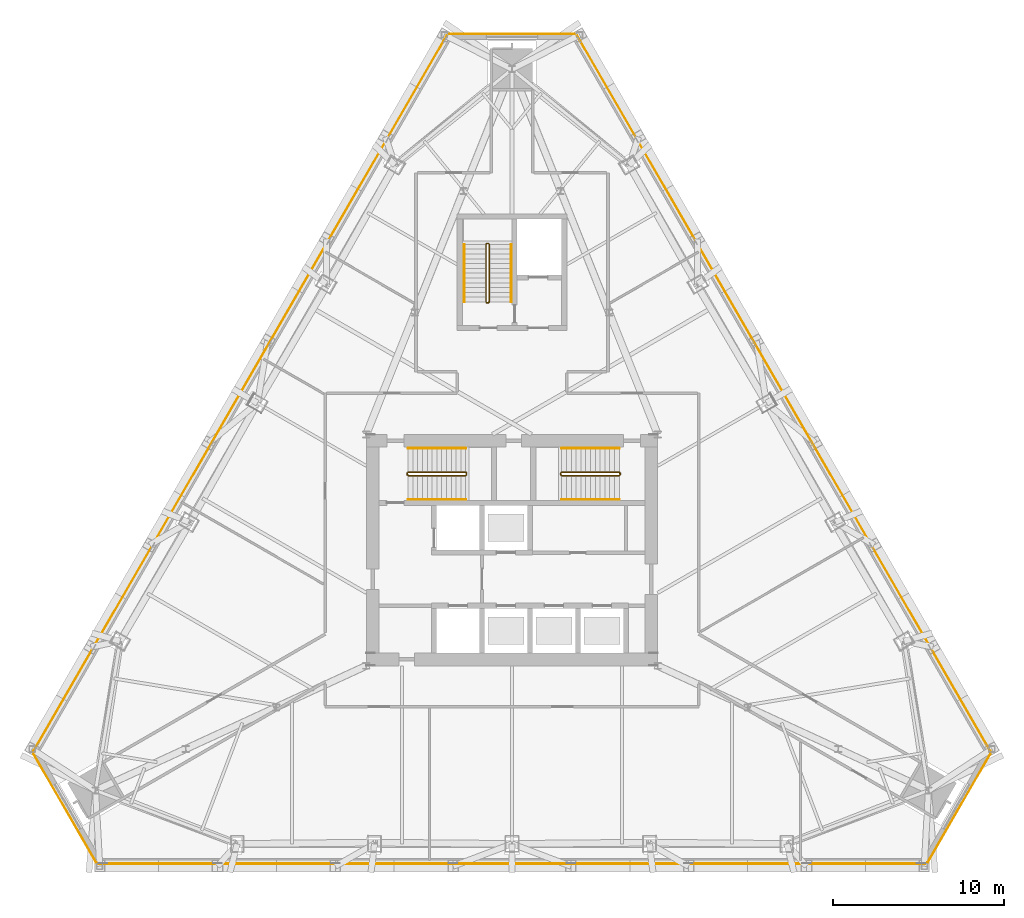
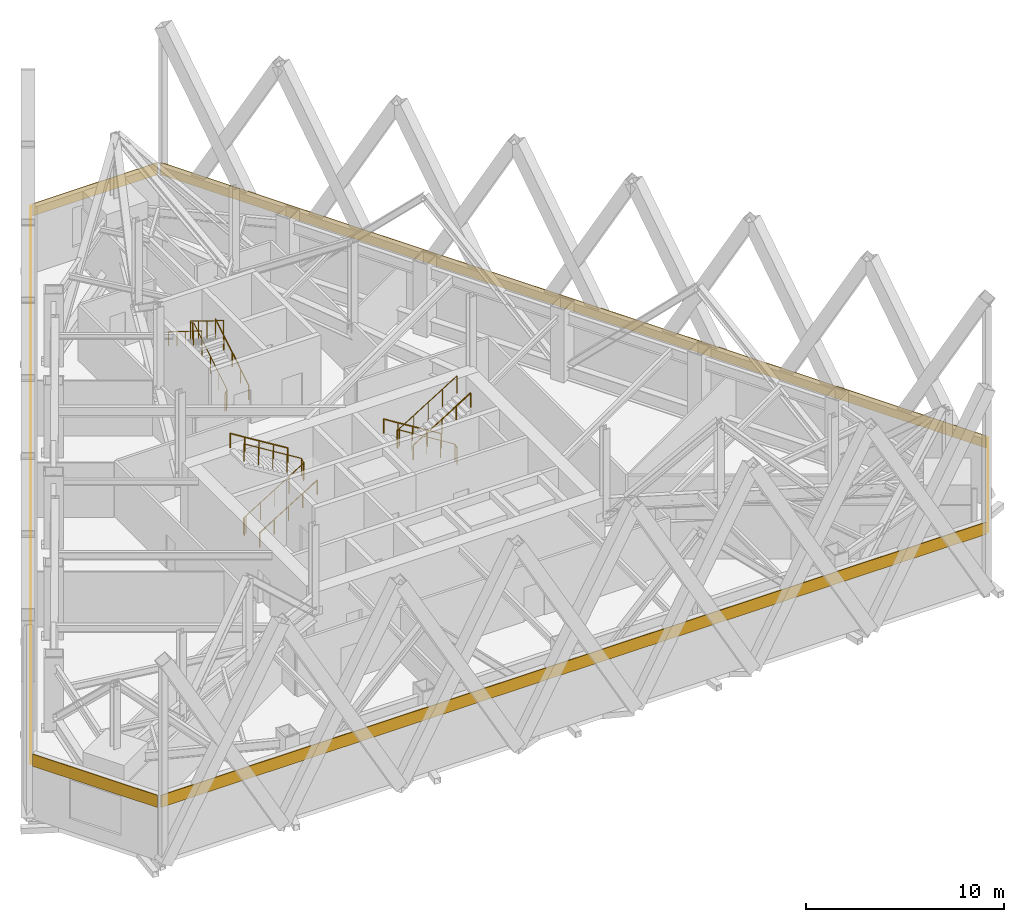
# One storey, part 15 of 16: 9 railings, 6 coverings.
"""IFC4 building model written with IfcOpenShell, lengths in metres."""

from ifc_helpers import new_model, si_unit, direction, frame, origin, origin_2d, place, context, subcontext, project, spatial, polyline, circle, outline, extrude, material, layer, layer_set, type_object, element, save


model = new_model("IFC4")

# Units and contexts
model_context = context("Model", 3, precision=1e-05, world=origin(), true_north=direction((0.0, 1.0)))
body_context = subcontext(model_context, "Body", "Model", "MODEL_VIEW")
ifc_project = project(units=[si_unit("LENGTHUNIT", "METRE"), si_unit("AREAUNIT", "SQUARE_METRE"), si_unit("VOLUMEUNIT", "CUBIC_METRE"), si_unit("PLANEANGLEUNIT", "RADIAN"), si_unit("MASSUNIT", "GRAM", prefix="KILO")], contexts=[model_context])

# Site, building, storey
site_placement = place(None, origin())
site = spatial("IfcSite", under=ifc_project, at=site_placement, CompositionType="ELEMENT")
building_placement = place(site_placement, origin())
building = spatial("IfcBuilding", under=site, at=building_placement, Name="Firuza Gate Tower and Library", CompositionType="ELEMENT")
storey_placement = place(building_placement, frame((0.0, 0.0, 247.60009765625)))
storey = spatial("IfcBuildingStorey", under=building, at=storey_placement, Name="L58", CompositionType="ELEMENT", Elevation=247.60009765625)

# Coverings
ifc_material_1 = material(Name="Glazed ceramic tile, cobalt")
ifc_layer_1 = layer(ifc_material_1, 0.0400390625)
ifc_layer_set_1 = layer_set([ifc_layer_1], Name="Cobalt glazed tile band 40")
covering_type_1 = type_object("IfcCoveringType", Name="Cobalt glazed tile band 40", PredefinedType="CLADDING", material=ifc_layer_set_1)
covering_1_placement = place(storey_placement, frame((99.2666015625, 56.772705078125, 3.2998046875), z_axis=(0.866033626628, -0.499985757347, 0.0), x_axis=(0.499985757347, 0.866033626628, 0.0)))
element("IfcCovering", 1, at=covering_1_placement, inside=storey, type_object=covering_type_1, Name="Glazed tile band", PredefinedType="CLADDING", context=body_context, shape_type="SweptSolid", body=[
    extrude(outline(polyline([(0.0, 0.0), (7.303918991869336, 0.0), (7.303918991869336, 0.75), (0.0, 0.75), (0.0, 0.0)])), origin(), (0.0, 0.0, -1.0), 0.0400390625),
])
covering_2_placement = place(storey_placement, frame((78.65185546875, 105.12890625, 3.2998046875), z_axis=(0.0, 1.0, 0.0), x_axis=(-1.0, 0.0, 0.0)))
element("IfcCovering", 2, at=covering_2_placement, inside=storey, type_object=covering_type_1, Name="Glazed tile band", PredefinedType="CLADDING", context=body_context, shape_type="SweptSolid", body=[
    extrude(outline(polyline([(0.0, 0.0), (7.3037109375, 0.0), (7.3037109375, 0.75), (0.0, 0.75), (0.0, 0.0)])), origin(), (0.0, 0.0, -1.0), 0.0400390625),
])
covering_3_placement = place(storey_placement, frame((47.08154296875, 63.09814453125, 3.2998046875), z_axis=(-0.866033626628, -0.499985757347, 0.0), x_axis=(0.499985757347, -0.866033626628, 0.0)))
element("IfcCovering", 3, at=covering_3_placement, inside=storey, type_object=covering_type_1, Name="Glazed tile band", PredefinedType="CLADDING", context=body_context, shape_type="SweptSolid", body=[
    extrude(outline(polyline([(0.0, 0.0), (7.303918991869336, 0.0), (7.303918991869336, 0.75), (0.0, 0.75), (0.0, 0.0)])), origin(), (0.0, 0.0, -1.0), 0.0400390625),
])

# Railings
ifc_material_2 = material(Name="Steel S355", Category="steel")
railing_type_1 = type_object("IfcRailingType", Name="Stair guard 1100", PredefinedType="GUARDRAIL", material=ifc_material_2)
railing_1_placement = place(storey_placement, frame((68.889892578125, 79.389892578125, 0.0)))
element("IfcRailing", 4, at=railing_1_placement, inside=storey, type_object=railing_type_1, Name="L58 ST1 stair guard 1", PredefinedType="GUARDRAIL", context=body_context, shape_type="SweptSolid", body=[
    extrude(circle(Radius=0.02392578125, at=origin_2d()), frame((0.0, 0.0, 1.076171875), z_axis=(0.0, 1.0, 0.0), x_axis=(-1.0, 0.0, 0.0)), (0.0, 0.0, 1.0), 0.10009765625),
    extrude(circle(Radius=0.02392578125, at=origin_2d()), frame((0.0, 0.10009765625, 1.076171875), z_axis=(0.213529850563, -0.639547942662, 0.73850080024), x_axis=(0.948528701346, 0.316691178788, 0.0)), (0.0, 0.0, 1.0), 0.234375),
    extrude(circle(Radius=0.02392578125, at=origin_2d()), frame((0.050048828125, -0.0498046875, 1.2490234375), z_axis=(0.850623216509, 0.0, 0.525775754039), x_axis=(0.0, 1.0, 0.0)), (0.0, 0.0, 1.0), 3.9501953125),
    extrude(circle(Radius=0.02392578125, at=origin_2d()), frame((3.41015625, -0.0498046875, 3.326171875), z_axis=(0.708833529934, 0.705375805398, 0.0), x_axis=(-0.705375805398, 0.708833529934, 0.0)), (0.0, 0.0, 1.0), 0.070556640625),
    extrude(circle(Radius=0.02392578125, at=origin_2d()), frame((3.460205078125, 0.0, 3.326171875), z_axis=(0.0, 1.0, 0.0), x_axis=(-1.0, 0.0, 0.0)), (0.0, 0.0, 1.0), 0.10009765625),
    extrude(circle(Radius=0.02392578125, at=origin_2d()), frame((3.460205078125, 0.10009765625, 3.326171875), z_axis=(-0.267629722418, 0.267629722418, 0.925607186314), x_axis=(-0.707106781187, -0.707106781187, 0.0)), (0.0, 0.0, 1.0), 0.18701171875),
    extrude(circle(Radius=0.02392578125, at=origin_2d()), frame((3.41015625, 0.150146484375, 3.4990234375), z_axis=(-0.850623216509, 0.0, 0.525775754039), x_axis=(0.0, -1.0, 0.0)), (0.0, 0.0, 1.0), 3.9501953125),
    extrude(circle(Radius=0.02099609375, at=origin_2d()), origin(), (0.0, 0.0, 1.0), 1.052001953125),
    extrude(circle(Radius=0.02099609375, at=origin_2d()), frame((0.0, 0.10009765625, 0.0)), (0.0, 0.0, 1.0), 1.052001953125),
    extrude(circle(Radius=0.02099609375, at=origin_2d()), frame((0.050048828125, -0.0498046875, 0.173095703125)), (0.0, 0.0, 1.0), 1.052001953125),
    extrude(circle(Radius=0.02099609375, at=origin_2d()), frame((0.89013671875, -0.0498046875, 0.6923828125)), (0.0, 0.0, 1.0), 1.052001953125),
    extrude(circle(Radius=0.02099609375, at=origin_2d()), frame((1.72998046875, -0.0498046875, 1.21142578125)), (0.0, 0.0, 1.0), 1.052001953125),
    extrude(circle(Radius=0.02099609375, at=origin_2d()), frame((2.570068359375, -0.0498046875, 1.730712890625)), (0.0, 0.0, 1.0), 1.052001953125),
    extrude(circle(Radius=0.02099609375, at=origin_2d()), frame((3.41015625, -0.0498046875, 2.25)), (0.0, 0.0, 1.0), 1.052001953125),
    extrude(circle(Radius=0.02099609375, at=origin_2d()), frame((3.460205078125, 0.0, 2.25)), (0.0, 0.0, 1.0), 1.052001953125),
    extrude(circle(Radius=0.02099609375, at=origin_2d()), frame((3.460205078125, 0.10009765625, 2.25)), (0.0, 0.0, 1.0), 1.052001953125),
    extrude(circle(Radius=0.02099609375, at=origin_2d()), frame((3.41015625, 0.150146484375, 2.423095703125)), (0.0, 0.0, 1.0), 1.052001953125),
    extrude(circle(Radius=0.02099609375, at=origin_2d()), frame((2.570068359375, 0.150146484375, 2.9423828125)), (0.0, 0.0, 1.0), 1.052001953125),
    extrude(circle(Radius=0.02099609375, at=origin_2d()), frame((1.72998046875, 0.150146484375, 3.46142578125)), (0.0, 0.0, 1.0), 1.052001953125),
    extrude(circle(Radius=0.02099609375, at=origin_2d()), frame((0.89013671875, 0.150146484375, 3.980712890625)), (0.0, 0.0, 1.0), 1.052001953125),
    extrude(circle(Radius=0.02099609375, at=origin_2d()), frame((0.050048828125, 0.150146484375, 4.5)), (0.0, 0.0, 1.0), 1.052001953125),
])
railing_2_placement = place(storey_placement, frame((81.31005859375, 79.489990234375, 0.0)))
element("IfcRailing", 5, at=railing_2_placement, inside=storey, type_object=railing_type_1, Name="L58 ST2 stair guard 1", PredefinedType="GUARDRAIL", context=body_context, shape_type="SweptSolid", body=[
    extrude(circle(Radius=0.02392578125, at=origin_2d()), frame((0.0, 0.0, 1.076171875), z_axis=(0.0, -1.0, 0.0), x_axis=(1.0, 0.0, 0.0)), (0.0, 0.0, 1.0), 0.10009765625),
    extrude(circle(Radius=0.02392578125, at=origin_2d()), frame((0.0, -0.10009765625, 1.076171875), z_axis=(-0.213387632126, 0.640162896378, 0.738008932572), x_axis=(-0.948683298051, -0.316227766017, 0.0)), (0.0, 0.0, 1.0), 0.234619140625),
    extrude(circle(Radius=0.02392578125, at=origin_2d()), frame((-0.050048828125, 0.050048828125, 1.2490234375), z_axis=(-0.850623216509, 0.0, 0.525775754039), x_axis=(0.0, -1.0, 0.0)), (0.0, 0.0, 1.0), 3.9501953125),
    extrude(circle(Radius=0.02392578125, at=origin_2d()), frame((-3.41015625, 0.050048828125, 3.326171875), z_axis=(-0.705375805398, -0.708833529934, 0.0), x_axis=(0.708833529934, -0.705375805398, 0.0)), (0.0, 0.0, 1.0), 0.070556640625),
    extrude(circle(Radius=0.02392578125, at=origin_2d()), frame((-3.4599609375, 0.0, 3.326171875), z_axis=(0.0, -1.0, 0.0), x_axis=(1.0, 0.0, 0.0)), (0.0, 0.0, 1.0), 0.10009765625),
    extrude(circle(Radius=0.02392578125, at=origin_2d()), frame((-3.4599609375, -0.10009765625, 3.326171875), z_axis=(0.26651005591, -0.26651005591, 0.926253086471), x_axis=(0.707106781187, 0.707106781187, 0.0)), (0.0, 0.0, 1.0), 0.186767578125),
    extrude(circle(Radius=0.02392578125, at=origin_2d()), frame((-3.41015625, -0.14990234375, 3.4990234375), z_axis=(0.850623216509, 0.0, 0.525775754039), x_axis=(0.0, 1.0, 0.0)), (0.0, 0.0, 1.0), 3.9501953125),
    extrude(circle(Radius=0.02099609375, at=origin_2d()), origin(), (0.0, 0.0, 1.0), 1.052001953125),
    extrude(circle(Radius=0.02099609375, at=origin_2d()), frame((0.0, -0.10009765625, 0.0)), (0.0, 0.0, 1.0), 1.052001953125),
    extrude(circle(Radius=0.02099609375, at=origin_2d()), frame((-0.050048828125, 0.050048828125, 0.173095703125)), (0.0, 0.0, 1.0), 1.052001953125),
    extrude(circle(Radius=0.02099609375, at=origin_2d()), frame((-0.89013671875, 0.050048828125, 0.6923828125)), (0.0, 0.0, 1.0), 1.052001953125),
    extrude(circle(Radius=0.02099609375, at=origin_2d()), frame((-1.72998046875, 0.050048828125, 1.21142578125)), (0.0, 0.0, 1.0), 1.052001953125),
    extrude(circle(Radius=0.02099609375, at=origin_2d()), frame((-2.570068359375, 0.050048828125, 1.730712890625)), (0.0, 0.0, 1.0), 1.052001953125),
    extrude(circle(Radius=0.02099609375, at=origin_2d()), frame((-3.41015625, 0.050048828125, 2.25)), (0.0, 0.0, 1.0), 1.052001953125),
    extrude(circle(Radius=0.02099609375, at=origin_2d()), frame((-3.4599609375, 0.0, 2.25)), (0.0, 0.0, 1.0), 1.052001953125),
    extrude(circle(Radius=0.02099609375, at=origin_2d()), frame((-3.4599609375, -0.10009765625, 2.25)), (0.0, 0.0, 1.0), 1.052001953125),
    extrude(circle(Radius=0.02099609375, at=origin_2d()), frame((-3.41015625, -0.14990234375, 2.423095703125)), (0.0, 0.0, 1.0), 1.052001953125),
    extrude(circle(Radius=0.02099609375, at=origin_2d()), frame((-2.570068359375, -0.14990234375, 2.9423828125)), (0.0, 0.0, 1.0), 1.052001953125),
    extrude(circle(Radius=0.02099609375, at=origin_2d()), frame((-1.72998046875, -0.14990234375, 3.46142578125)), (0.0, 0.0, 1.0), 1.052001953125),
    extrude(circle(Radius=0.02099609375, at=origin_2d()), frame((-0.89013671875, -0.14990234375, 3.980712890625)), (0.0, 0.0, 1.0), 1.052001953125),
    extrude(circle(Radius=0.02099609375, at=origin_2d()), frame((-0.050048828125, -0.14990234375, 4.5)), (0.0, 0.0, 1.0), 1.052001953125),
])
railing_3_placement = place(storey_placement, frame((73.6298828125, 89.419921875, 0.0)))
element("IfcRailing", 6, at=railing_3_placement, inside=storey, type_object=railing_type_1, Name="L58 ST3 stair guard 1", PredefinedType="GUARDRAIL", context=body_context, shape_type="SweptSolid", body=[
    extrude(circle(Radius=0.02392578125, at=origin_2d()), frame((0.0, 0.0, 1.076171875), z_axis=(-1.0, 0.0, 0.0), x_axis=(0.0, -1.0, 0.0)), (0.0, 0.0, 1.0), 0.099853515625),
    extrude(circle(Radius=0.02392578125, at=origin_2d()), frame((-0.099853515625, 0.0, 1.076171875), z_axis=(0.639547942662, 0.213529850563, 0.73850080024), x_axis=(-0.316691178788, 0.948528701346, 0.0)), (0.0, 0.0, 1.0), 0.234375),
    extrude(circle(Radius=0.02392578125, at=origin_2d()), frame((0.050048828125, 0.050048828125, 1.2490234375), z_axis=(0.0, 0.850623216509, 0.525775754039), x_axis=(-1.0, 0.0, 0.0)), (0.0, 0.0, 1.0), 3.9501953125),
    extrude(circle(Radius=0.02392578125, at=origin_2d()), frame((0.050048828125, 3.41015625, 3.326171875), z_axis=(-0.708833529934, 0.705375805398, 0.0), x_axis=(-0.705375805398, -0.708833529934, 0.0)), (0.0, 0.0, 1.0), 0.070556640625),
    extrude(circle(Radius=0.02392578125, at=origin_2d()), frame((0.0, 3.4599609375, 3.326171875), z_axis=(-1.0, 0.0, 0.0), x_axis=(0.0, -1.0, 0.0)), (0.0, 0.0, 1.0), 0.099853515625),
    extrude(circle(Radius=0.02392578125, at=origin_2d()), frame((-0.099853515625, 3.4599609375, 3.326171875), z_axis=(-0.267723051232, -0.266417085129, 0.925929967433), x_axis=(0.705375805398, -0.708833529934, 0.0)), (0.0, 0.0, 1.0), 0.18701171875),
    extrude(circle(Radius=0.02392578125, at=origin_2d()), frame((-0.14990234375, 3.41015625, 3.4990234375), z_axis=(0.0, -0.850623216509, 0.525775754039), x_axis=(1.0, 0.0, 0.0)), (0.0, 0.0, 1.0), 3.9501953125),
    extrude(circle(Radius=0.02099609375, at=origin_2d()), origin(), (0.0, 0.0, 1.0), 1.052001953125),
    extrude(circle(Radius=0.02099609375, at=origin_2d()), frame((-0.099853515625, 0.0, 0.0)), (0.0, 0.0, 1.0), 1.052001953125),
    extrude(circle(Radius=0.02099609375, at=origin_2d()), frame((0.050048828125, 0.050048828125, 0.173095703125)), (0.0, 0.0, 1.0), 1.052001953125),
    extrude(circle(Radius=0.02099609375, at=origin_2d()), frame((0.050048828125, 0.89013671875, 0.6923828125)), (0.0, 0.0, 1.0), 1.052001953125),
    extrude(circle(Radius=0.02099609375, at=origin_2d()), frame((0.050048828125, 1.72998046875, 1.21142578125)), (0.0, 0.0, 1.0), 1.052001953125),
    extrude(circle(Radius=0.02099609375, at=origin_2d()), frame((0.050048828125, 2.570068359375, 1.730712890625)), (0.0, 0.0, 1.0), 1.052001953125),
    extrude(circle(Radius=0.02099609375, at=origin_2d()), frame((0.050048828125, 3.41015625, 2.25)), (0.0, 0.0, 1.0), 1.052001953125),
    extrude(circle(Radius=0.02099609375, at=origin_2d()), frame((0.0, 3.4599609375, 2.25)), (0.0, 0.0, 1.0), 1.052001953125),
    extrude(circle(Radius=0.02099609375, at=origin_2d()), frame((-0.099853515625, 3.4599609375, 2.25)), (0.0, 0.0, 1.0), 1.052001953125),
    extrude(circle(Radius=0.02099609375, at=origin_2d()), frame((-0.14990234375, 3.41015625, 2.423095703125)), (0.0, 0.0, 1.0), 1.052001953125),
    extrude(circle(Radius=0.02099609375, at=origin_2d()), frame((-0.14990234375, 2.570068359375, 2.9423828125)), (0.0, 0.0, 1.0), 1.052001953125),
    extrude(circle(Radius=0.02099609375, at=origin_2d()), frame((-0.14990234375, 1.72998046875, 3.46142578125)), (0.0, 0.0, 1.0), 1.052001953125),
    extrude(circle(Radius=0.02099609375, at=origin_2d()), frame((-0.14990234375, 0.89013671875, 3.980712890625)), (0.0, 0.0, 1.0), 1.052001953125),
    extrude(circle(Radius=0.02099609375, at=origin_2d()), frame((-0.14990234375, 0.050048828125, 4.5)), (0.0, 0.0, 1.0), 1.052001953125),
])
ifc_material_3 = material(Name="Steel S355", Category="steel")
railing_type_2 = type_object("IfcRailingType", Name="Stair handrail 900", PredefinedType="HANDRAIL", material=ifc_material_3)
railing_4_placement = place(storey_placement, frame((68.93994140625, 77.949951171875, 0.173095703125)))
element("IfcRailing", 7, at=railing_4_placement, inside=storey, type_object=railing_type_2, Name="L58 ST1 stair handrail 1", PredefinedType="HANDRAIL", context=body_context, shape_type="SweptSolid", body=[
    extrude(circle(Radius=0.02392578125, at=origin_2d()), frame((0.0, 0.0, 0.8759765625), z_axis=(0.850623216509, 0.0, 0.525775754039), x_axis=(0.0, 1.0, 0.0)), (0.0, 0.0, 1.0), 3.9501953125),
    extrude(circle(Radius=0.02099609375, at=origin_2d()), origin(), (0.0, 0.0, 1.0), 0.851806640625),
    extrude(circle(Radius=0.02099609375, at=origin_2d()), frame((0.840087890625, 0.0, 0.519287109375)), (0.0, 0.0, 1.0), 0.851806640625),
    extrude(circle(Radius=0.02099609375, at=origin_2d()), frame((1.68017578125, 0.0, 1.03857421875)), (0.0, 0.0, 1.0), 0.851806640625),
    extrude(circle(Radius=0.02099609375, at=origin_2d()), frame((2.52001953125, 0.0, 1.5576171875)), (0.0, 0.0, 1.0), 0.851806640625),
    extrude(circle(Radius=0.02099609375, at=origin_2d()), frame((3.360107421875, 0.0, 2.076904296875)), (0.0, 0.0, 1.0), 0.851806640625),
])
for number, where, name in (
    (8, (72.300048828125, 80.929931640625, 2.423095703125), "L58 ST1 stair handrail 2"),
    (9, (81.260009765625, 80.929931640625, 0.173095703125), "L58 ST2 stair handrail 1"),
):
    element("IfcRailing", number, at=place(storey_placement, frame(where)), inside=storey, type_object=railing_type_2, Name=name, PredefinedType="HANDRAIL", context=body_context, shape_type="SweptSolid", body=[
        extrude(circle(Radius=0.02392578125, at=origin_2d()), frame((0.0, 0.0, 0.8759765625), z_axis=(-0.850623216509, 0.0, 0.525775754039), x_axis=(0.0, -1.0, 0.0)), (0.0, 0.0, 1.0), 3.9501953125),
        extrude(circle(Radius=0.02099609375, at=origin_2d()), origin(), (0.0, 0.0, 1.0), 0.851806640625),
        extrude(circle(Radius=0.02099609375, at=origin_2d()), frame((-0.840087890625, 0.0, 0.519287109375)), (0.0, 0.0, 1.0), 0.851806640625),
        extrude(circle(Radius=0.02099609375, at=origin_2d()), frame((-1.68017578125, 0.0, 1.03857421875)), (0.0, 0.0, 1.0), 0.851806640625),
        extrude(circle(Radius=0.02099609375, at=origin_2d()), frame((-2.52001953125, 0.0, 1.5576171875)), (0.0, 0.0, 1.0), 0.851806640625),
        extrude(circle(Radius=0.02099609375, at=origin_2d()), frame((-3.360107421875, 0.0, 2.076904296875)), (0.0, 0.0, 1.0), 0.851806640625),
    ])
railing_5_placement = place(storey_placement, frame((77.89990234375, 77.949951171875, 2.423095703125)))
element("IfcRailing", 10, at=railing_5_placement, inside=storey, type_object=railing_type_2, Name="L58 ST2 stair handrail 2", PredefinedType="HANDRAIL", context=body_context, shape_type="SweptSolid", body=[
    extrude(circle(Radius=0.02392578125, at=origin_2d()), frame((0.0, 0.0, 0.8759765625), z_axis=(0.850623216509, 0.0, 0.525775754039), x_axis=(0.0, 1.0, 0.0)), (0.0, 0.0, 1.0), 3.9501953125),
    extrude(circle(Radius=0.02099609375, at=origin_2d()), origin(), (0.0, 0.0, 1.0), 0.851806640625),
    extrude(circle(Radius=0.02099609375, at=origin_2d()), frame((0.840087890625, 0.0, 0.519287109375)), (0.0, 0.0, 1.0), 0.851806640625),
    extrude(circle(Radius=0.02099609375, at=origin_2d()), frame((1.68017578125, 0.0, 1.03857421875)), (0.0, 0.0, 1.0), 0.851806640625),
    extrude(circle(Radius=0.02099609375, at=origin_2d()), frame((2.52001953125, 0.0, 1.5576171875)), (0.0, 0.0, 1.0), 0.851806640625),
    extrude(circle(Radius=0.02099609375, at=origin_2d()), frame((3.360107421875, 0.0, 2.076904296875)), (0.0, 0.0, 1.0), 0.851806640625),
])
railing_6_placement = place(storey_placement, frame((74.949951171875, 89.469970703125, 0.173095703125)))
element("IfcRailing", 11, at=railing_6_placement, inside=storey, type_object=railing_type_2, Name="L58 ST3 stair handrail 1", PredefinedType="HANDRAIL", context=body_context, shape_type="SweptSolid", body=[
    extrude(circle(Radius=0.02392578125, at=origin_2d()), frame((0.0, 0.0, 0.8759765625), z_axis=(0.0, 0.850623216509, 0.525775754039), x_axis=(-1.0, 0.0, 0.0)), (0.0, 0.0, 1.0), 3.9501953125),
    extrude(circle(Radius=0.02099609375, at=origin_2d()), origin(), (0.0, 0.0, 1.0), 0.851806640625),
    extrude(circle(Radius=0.02099609375, at=origin_2d()), frame((0.0, 0.840087890625, 0.519287109375)), (0.0, 0.0, 1.0), 0.851806640625),
    extrude(circle(Radius=0.02099609375, at=origin_2d()), frame((0.0, 1.68017578125, 1.03857421875)), (0.0, 0.0, 1.0), 0.851806640625),
    extrude(circle(Radius=0.02099609375, at=origin_2d()), frame((0.0, 2.52001953125, 1.5576171875)), (0.0, 0.0, 1.0), 0.851806640625),
    extrude(circle(Radius=0.02099609375, at=origin_2d()), frame((0.0, 3.360107421875, 2.076904296875)), (0.0, 0.0, 1.0), 0.851806640625),
])
railing_7_placement = place(storey_placement, frame((72.2099609375, 92.830078125, 2.423095703125)))
element("IfcRailing", 12, at=railing_7_placement, inside=storey, type_object=railing_type_2, Name="L58 ST3 stair handrail 2", PredefinedType="HANDRAIL", context=body_context, shape_type="SweptSolid", body=[
    extrude(circle(Radius=0.02392578125, at=origin_2d()), frame((0.0, 0.0, 0.8759765625), z_axis=(0.0, -0.850623216509, 0.525775754039), x_axis=(1.0, 0.0, 0.0)), (0.0, 0.0, 1.0), 3.9501953125),
    extrude(circle(Radius=0.02099609375, at=origin_2d()), origin(), (0.0, 0.0, 1.0), 0.851806640625),
    extrude(circle(Radius=0.02099609375, at=origin_2d()), frame((0.0, -0.840087890625, 0.519287109375)), (0.0, 0.0, 1.0), 0.851806640625),
    extrude(circle(Radius=0.02099609375, at=origin_2d()), frame((0.0, -1.68017578125, 1.03857421875)), (0.0, 0.0, 1.0), 0.851806640625),
    extrude(circle(Radius=0.02099609375, at=origin_2d()), frame((0.0, -2.52001953125, 1.5576171875)), (0.0, 0.0, 1.0), 0.851806640625),
    extrude(circle(Radius=0.02099609375, at=origin_2d()), frame((0.0, -3.360107421875, 2.076904296875)), (0.0, 0.0, 1.0), 0.851806640625),
])

# Coverings
ifc_material_4 = material(Name="Glazed ceramic tile, turquoise")
ifc_layer_2 = layer(ifc_material_4, 0.0400390625)
ifc_layer_set_2 = layer_set([ifc_layer_2], Name="Turquoise glazed tile band 40")
covering_type_2 = type_object("IfcCoveringType", Name="Turquoise glazed tile band 40", PredefinedType="CLADDING", material=ifc_layer_set_2)
covering_4_placement = place(storey_placement, frame((50.89794921875, 56.677734375, 3.2998046875), z_axis=(0.0, -1.0, 0.0), x_axis=(1.0, 0.0, 0.0)))
element("IfcCovering", 13, at=covering_4_placement, inside=storey, type_object=covering_type_2, Name="Glazed tile band", PredefinedType="CLADDING", context=body_context, shape_type="SweptSolid", body=[
    extrude(outline(polyline([(0.0, 0.0), (48.2041015625, 0.0), (48.2041015625, 0.75), (0.0, 0.75), (0.0, 0.0)])), origin(), (0.0, 0.0, -1.0), 0.0400390625),
])
for number, where, z_axis, x_axis, name in (
    (14, (102.91845703125, 63.2880859375, 3.2998046875), (0.866024745589, 0.500001140025, 0.0), (-0.500001140025, 0.866024745589, 0.0), "Glazed tile band"),
    (15, (71.18359375, 105.033935546875, 3.2998046875), (-0.866024745589, 0.500001140025, 0.0), (-0.500001140025, -0.866024745589, 0.0), "Glazed tile band"),
):
    element("IfcCovering", number, at=place(storey_placement, frame(where, z_axis=z_axis, x_axis=x_axis)), inside=storey, type_object=covering_type_2, Name=name, PredefinedType="CLADDING", context=body_context, shape_type="SweptSolid", body=[
        extrude(outline(polyline([(0.0, 0.0), (48.2039916549502, 0.0), (48.2039916549502, 0.75), (0.0, 0.75), (0.0, 0.0)])), origin(), (0.0, 0.0, -1.0), 0.0400390625),
    ])

save(model, "model.ifc")
